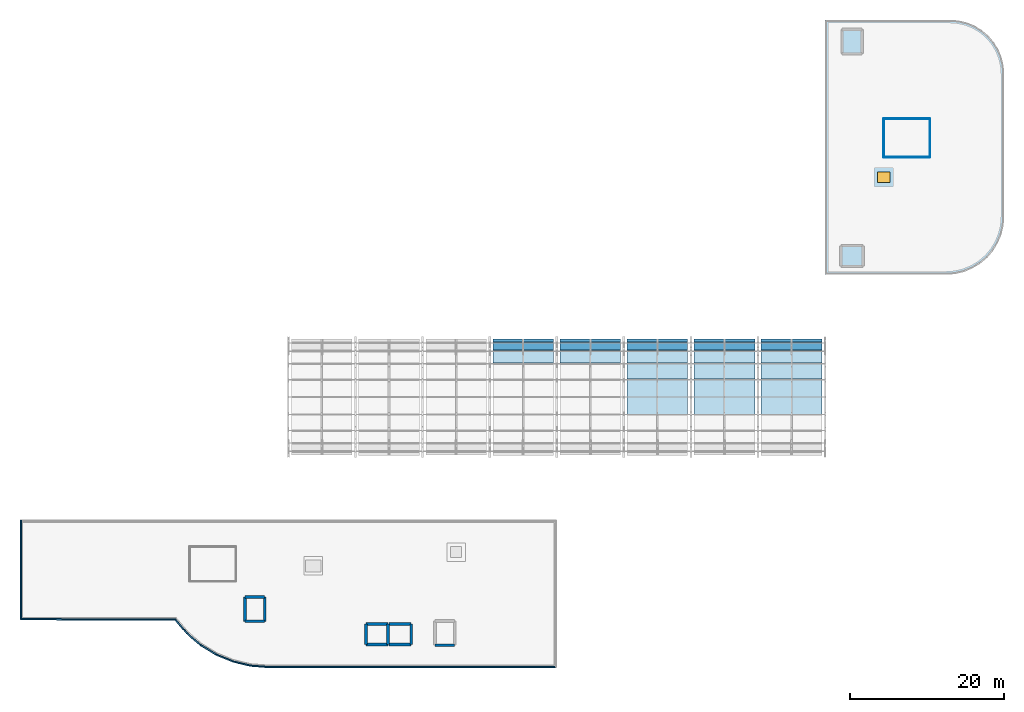
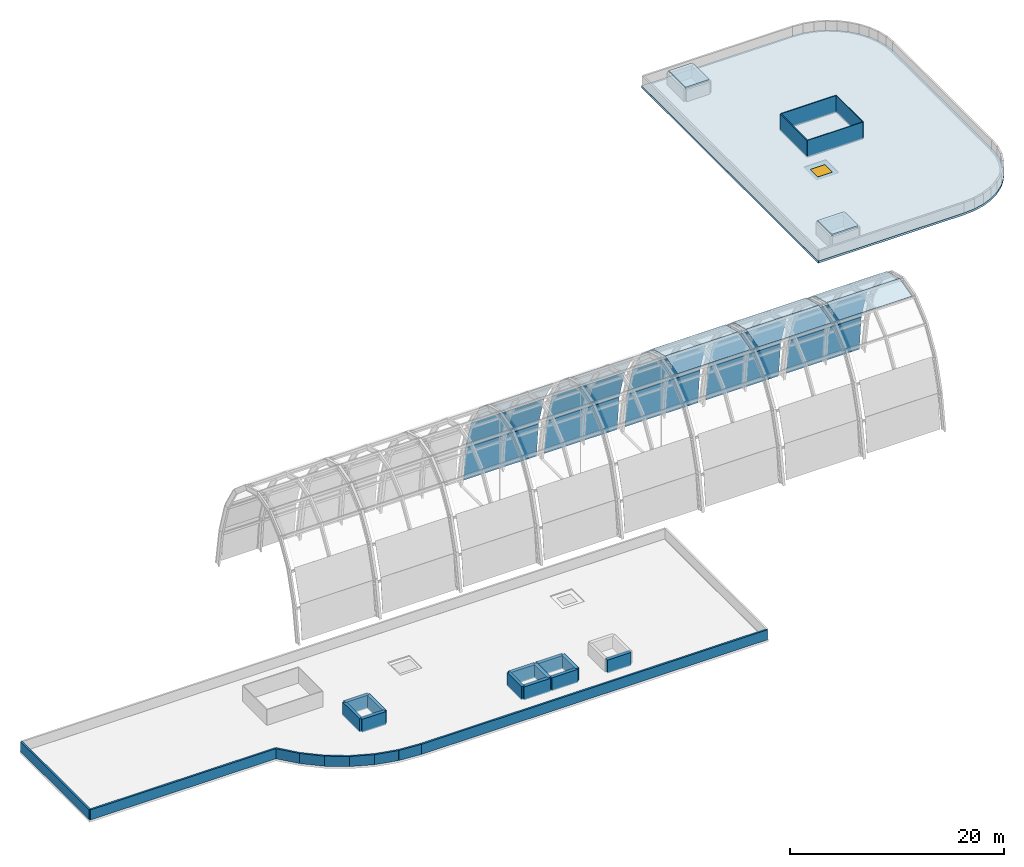
"""IFC4 building model written with IfcOpenShell, lengths in metres."""

import ifcopenshell
import ifcopenshell.guid

model = None  # the IFC model being written
_history = None  # IfcOwnerHistory: only IFC2X3 demands one
_inside = {}  # id of a spatial element -> (the spatial element, [elements in it])
_under = {}  # id of a project, library or spatial element -> (it, [spatial elements below it])
_declared = {}  # id of a project -> (the project, [libraries it declares])
_typed = {}  # id of a type object -> (the type object, [elements of that type])
_made_of = {}  # id of a material, layer set ... -> (it, [elements and type objects made of it])


def new_model(schema):
    """Start an empty IFC model of exactly this schema.

    Asked for "IFC4X3", IfcOpenShell would pick the latest addendum, in which some entities
    have other attributes; the version numbers below select the first issue.
    IFC2X3 requires an IfcOwnerHistory on every rooted entity: one is made here for all.
    """
    global model, _history
    if schema == "IFC4X3":
        model = ifcopenshell.file(schema_version=(4, 3, 0, 0))
    else:
        model = ifcopenshell.file(schema=schema)
    _inside.clear()
    _under.clear()
    _declared.clear()
    _typed.clear()
    _made_of.clear()
    _history = None
    if model.schema == "IFC2X3":
        org = make("IfcOrganization", Name="unknown")
        user = make(
            "IfcPersonAndOrganization",
            ThePerson=make("IfcPerson", FamilyName="unknown"),
            TheOrganization=org,
        )
        app = make(
            "IfcApplication",
            ApplicationDeveloper=org,
            Version="unknown",
            ApplicationFullName="unknown",
            ApplicationIdentifier="unknown",
        )
        _history = make(
            "IfcOwnerHistory",
            OwningUser=user,
            OwningApplication=app,
            ChangeAction="ADDED",
            CreationDate=0,
        )
    return model


def make(cls, **values):
    """One entity of the class cls with the attributes given. An attribute that is None is left unset."""
    return model.create_entity(
        cls, **{name: value for name, value in values.items() if value is not None}
    )


def rooted(cls, **values):
    """An entity with a GlobalId (a new one), such as an element, a storey or a relation."""
    return make(cls, GlobalId=ifcopenshell.guid.new(), OwnerHistory=_history, **values)


def si_unit(unit_type, name, prefix=None):
    """IfcSIUnit, for example si_unit("LENGTHUNIT", "METRE", prefix="MILLI")."""
    return make("IfcSIUnit", UnitType=unit_type, Prefix=prefix, Name=name)


def derived_unit(unit_type, elements):
    """IfcDerivedUnit: a product of units, each with its exponent."""
    return make(
        "IfcDerivedUnit",
        Elements=[
            make("IfcDerivedUnitElement", Unit=unit, Exponent=power)
            for unit, power in elements
        ],
        UnitType=unit_type,
    )


def assignment(units):
    """IfcUnitAssignment: the units of a project."""
    return None if units is None else make("IfcUnitAssignment", Units=units)


def point(xyz):
    """IfcCartesianPoint."""
    return None if xyz is None else make("IfcCartesianPoint", Coordinates=xyz)


def direction(xyz):
    """IfcDirection."""
    return None if xyz is None else make("IfcDirection", DirectionRatios=xyz)


def frame(location, z_axis=None, x_axis=None):
    """IfcAxis2Placement3D, a coordinate frame: its origin and axes. An axis left out is left unset."""
    return make(
        "IfcAxis2Placement3D",
        Location=point(location),
        Axis=direction(z_axis),
        RefDirection=direction(x_axis),
    )


def frame_2d(location, x_axis=None):
    """IfcAxis2Placement2D, a coordinate frame in the plane: its origin and x axis."""
    return make(
        "IfcAxis2Placement2D", Location=point(location), RefDirection=direction(x_axis)
    )


def origin():
    """The frame at (0, 0, 0) with its axes left unset."""
    return frame((0.0, 0.0, 0.0))


def origin_2d():
    """The frame at (0, 0) in the plane with its x axis left unset."""
    return frame_2d((0.0, 0.0))


def place(relative_to, where):
    """IfcLocalPlacement: puts the frame where relative to a parent placement (None: the world)."""
    return make(
        "IfcLocalPlacement", PlacementRelTo=relative_to, RelativePlacement=where
    )


def context(
    kind, dimensions, precision=None, world=None, true_north=None, identifier=None
):
    """IfcGeometricRepresentationContext, for example the 3D "Model" context."""
    return make(
        "IfcGeometricRepresentationContext",
        ContextIdentifier=identifier,
        ContextType=kind,
        CoordinateSpaceDimension=dimensions,
        Precision=precision,
        WorldCoordinateSystem=world,
        TrueNorth=true_north,
    )


def subcontext(parent, identifier, kind, view, scale=None):
    """IfcGeometricRepresentationSubContext, for example "Body" below "Model"."""
    return make(
        "IfcGeometricRepresentationSubContext",
        ContextIdentifier=identifier,
        ContextType=kind,
        ParentContext=parent,
        TargetScale=scale,
        TargetView=view,
    )


def project(units=None, contexts=None):
    """IfcProject with its units and contexts."""
    return rooted(
        "IfcProject",
        Name="project",
        RepresentationContexts=contexts,
        UnitsInContext=assignment(units),
    )


def spatial(cls, under=None, at=None, **own):
    """A site, building, storey or space (cls), placed at a placement, below another one or the project."""
    s = rooted(cls, ObjectPlacement=at, **own)
    if under is not None:
        _under.setdefault(under.id(), (under, []))[1].append(s)
    return s


def polyline(points):
    """IfcPolyline through the points."""
    return make("IfcPolyline", Points=[point(p) for p in points])


def profile(cls, at=None, kind="AREA", **sizes):
    """A parametric profile (cls). Its sizes go by their IFC names, for example OverallWidth=200.0."""
    return make(cls, ProfileType=kind, Position=at, **sizes)


def rectangle(**sizes):
    """IfcRectangleProfileDef."""
    return profile("IfcRectangleProfileDef", **sizes)


def outline(outer, holes=None, kind="AREA"):
    """IfcArbitraryClosedProfileDef: a profile drawn as a closed curve; with holes, ...WithVoids."""
    if holes is None:
        return make("IfcArbitraryClosedProfileDef", ProfileType=kind, OuterCurve=outer)
    return make(
        "IfcArbitraryProfileDefWithVoids",
        ProfileType=kind,
        OuterCurve=outer,
        InnerCurves=holes,
    )


def extrude(swept, where, along, depth):
    """IfcExtrudedAreaSolid: the profile swept, set in the frame where, extruded along a direction by depth."""
    return make(
        "IfcExtrudedAreaSolid",
        SweptArea=swept,
        Position=where,
        ExtrudedDirection=direction(along),
        Depth=depth,
    )


def shape(context_of_items, identifier, shape_type, items):
    """IfcShapeRepresentation: the items that make up one representation, for example the "Body"."""
    return make(
        "IfcShapeRepresentation",
        ContextOfItems=context_of_items,
        RepresentationIdentifier=identifier,
        RepresentationType=shape_type,
        Items=items,
    )


def material(Name=None, Category=None):
    """IfcMaterial."""
    return make("IfcMaterial", Name=Name, Category=Category)


def layer(
    of_material, thickness, ventilated=None, Name=None, Category=None, Priority=None
):
    """IfcMaterialLayer: one layer of a wall or slab, of a material (None: an air gap)."""
    return make(
        "IfcMaterialLayer",
        Material=of_material,
        LayerThickness=thickness,
        IsVentilated=ventilated,
        Name=Name,
        Category=Category,
        Priority=Priority,
    )


def layer_set(layers, Name=None):
    """IfcMaterialLayerSet."""
    return make("IfcMaterialLayerSet", MaterialLayers=layers, LayerSetName=Name)


def made_of(thing, what):
    """Note that an element or type object is made of a material, layer set ...; save() writes the relation."""
    if what is not None:
        _made_of.setdefault(what.id(), (what, []))[1].append(thing)
    return thing


def type_object(cls, material=None, **own):
    """A type object (cls), such as IfcWallType, which elements share."""
    return made_of(rooted(cls, **own), material)


def element(
    cls,
    number,
    at=None,
    inside=None,
    cuts=None,
    type_object=None,
    material=None,
    context=None,
    identifier="Body",
    shape_type=None,
    held_by="IfcProductDefinitionShape",
    body=None,
    shapes=None,
    **own,
):
    """One element of the class cls, such as IfcWall. Its Tag is "e" and its number.

    at: its placement. inside: the storey or other place that contains it. cuts: it is an
    opening in that element (IfcRelVoidsElement). A single representation is given by context,
    identifier, shape_type and body (its items); several are given by shapes. held_by: the class
    of the entity that holds the representations. save() writes the other relations.
    """
    e = rooted(cls, Tag="e%d" % number, ObjectPlacement=at, **own)
    if body is not None:
        shapes = [shape(context, identifier, shape_type, body)]
    if shapes is not None:
        e.Representation = make(held_by, Representations=shapes)
    if inside is not None:
        _inside.setdefault(inside.id(), (inside, []))[1].append(e)
    if cuts is not None:
        rooted(
            "IfcRelVoidsElement", RelatingBuildingElement=cuts, RelatedOpeningElement=e
        )
    if type_object is not None:
        _typed.setdefault(type_object.id(), (type_object, []))[1].append(e)
    return made_of(e, material)


def fill(opening, filler):
    """IfcRelFillsElement: the door or window that sits in an opening."""
    return rooted(
        "IfcRelFillsElement",
        RelatingOpeningElement=opening,
        RelatedBuildingElement=filler,
    )


def aggregate(whole, parts):
    """IfcRelAggregates: a whole, such as a stair, and the parts it consists of."""
    return rooted("IfcRelAggregates", RelatingObject=whole, RelatedObjects=parts)


def save(model, path):
    """Write the relations noted so far, then the file.

    IfcRelAggregates (storeys below a building ...), IfcRelContainedInSpatialStructure (elements
    in a storey), IfcRelDefinesByType, IfcRelAssociatesMaterial and IfcRelDeclares: one each for
    every whole, place, type object, material and project.
    """
    for whole, parts in _under.values():
        aggregate(whole, parts)
    for where, things in _inside.values():
        rooted(
            "IfcRelContainedInSpatialStructure",
            RelatedElements=things,
            RelatingStructure=where,
        )
    for kind, things in _typed.values():
        rooted("IfcRelDefinesByType", RelatedObjects=things, RelatingType=kind)
    for what, things in _made_of.values():
        rooted("IfcRelAssociatesMaterial", RelatedObjects=things, RelatingMaterial=what)
    for by, libraries in _declared.values():
        rooted("IfcRelDeclares", RelatingContext=by, RelatedDefinitions=libraries)
    model.write(path)


model = new_model("IFC4")

# Units and contexts
model_context = context("Model", 3, precision=1e-05, world=origin(), true_north=direction((0.0, 1.0)))
body_context = subcontext(model_context, "Body", "Model", "MODEL_VIEW")
ifc_project = project(units=[si_unit("LENGTHUNIT", "METRE"), si_unit("AREAUNIT", "SQUARE_METRE"), si_unit("VOLUMEUNIT", "CUBIC_METRE"), si_unit("PLANEANGLEUNIT", "RADIAN"), si_unit("MASSUNIT", "GRAM", prefix="KILO"), derived_unit("THERMALTRANSMITTANCEUNIT", [(si_unit("MASSUNIT", "GRAM", prefix="KILO"), 1), (si_unit("TIMEUNIT", "SECOND"), -3), (si_unit("THERMODYNAMICTEMPERATUREUNIT", "KELVIN"), -1)])], contexts=[model_context])

# Site, building, storey
site_placement = place(None, origin())
site = spatial("IfcSite", under=ifc_project, at=site_placement, CompositionType="ELEMENT")
building_placement = place(site_placement, origin())
building = spatial("IfcBuilding", under=site, at=building_placement, Name="Qinzheling Arcade Emporium", CompositionType="ELEMENT")
storey_1_placement = place(building_placement, frame((0.0, 0.0, 41.10009765625)))
storey_1 = spatial("IfcBuildingStorey", under=building, at=storey_1_placement, Name="RF", CompositionType="ELEMENT", Elevation=41.10009765625)

# Plates
ifc_material_1 = material(Name="Mineral-wool-lined perforated aluminium acoustic panel", Category="aluminium")
ifc_layer_1 = layer(ifc_material_1, 0.06494140625, Name="Mineral-wool-lined perforated aluminium acoustic panel", Category="aluminium")
ifc_layer_set_1 = layer_set([ifc_layer_1], Name="Mineral-wool-lined perforated aluminium acoustic panel")
plate_type_1 = type_object("IfcPlateType", Name="Acoustic Roof Plant Screen Panel 65mm", PredefinedType="USERDEFINED", material=ifc_layer_set_1)
plate_1_placement = place(storey_1_placement, frame((118.0, 91.5, 0.0), z_axis=(0.0, 0.0, 1.0), x_axis=(0.0, 1.0, 0.0)))
element("IfcPlate", 1, at=plate_1_placement, inside=storey_1, type_object=plate_type_1, Name="Acoustic Plant Screen PLT-APS-RF-16", ObjectType="PLANT_SCREEN", PredefinedType="USERDEFINED", context=body_context, shape_type="SweptSolid", body=[
    extrude(rectangle(XDim=5.0, YDim=0.06494140625, at=origin_2d()), origin(), (0.0, 0.0, 1.0), 1.89990234375),
])
ifc_layer_2 = layer(ifc_material_1, 0.074951171875, Name="Mineral-wool-lined perforated aluminium acoustic panel", Category="aluminium")
ifc_layer_set_2 = layer_set([ifc_layer_2], Name="Mineral-wool-lined perforated aluminium acoustic panel")
plate_type_2 = type_object("IfcPlateType", Name="Acoustic Roof Plant Screen Panel 75mm", PredefinedType="USERDEFINED", material=ifc_layer_set_2)
plate_2_placement = place(storey_1_placement, frame((115.0, 89.0, 0.0), z_axis=(0.0, 0.0, 1.0), x_axis=(1.0, 0.0, 0.0)))
element("IfcPlate", 2, at=plate_2_placement, inside=storey_1, type_object=plate_type_2, Name="Acoustic Plant Screen PLT-APS-RF-13", ObjectType="PLANT_SCREEN", PredefinedType="USERDEFINED", context=body_context, shape_type="SweptSolid", body=[
    extrude(rectangle(XDim=6.0, YDim=0.074951171875, at=origin_2d()), origin(), (0.0, 0.0, 1.0), 1.89990234375),
])
ifc_layer_3 = layer(ifc_material_1, 0.0849609375, Name="Mineral-wool-lined perforated aluminium acoustic panel", Category="aluminium")
ifc_layer_set_3 = layer_set([ifc_layer_3], Name="Mineral-wool-lined perforated aluminium acoustic panel")
plate_type_3 = type_object("IfcPlateType", Name="Acoustic Roof Plant Screen Panel 85mm", PredefinedType="USERDEFINED", material=ifc_layer_set_3)
plate_3_placement = place(storey_1_placement, frame((115.0, 94.0, 0.0), z_axis=(0.0, 0.0, 1.0), x_axis=(1.0, 0.0, 0.0)))
element("IfcPlate", 3, at=plate_3_placement, inside=storey_1, type_object=plate_type_3, Name="Acoustic Plant Screen PLT-APS-RF-14", ObjectType="PLANT_SCREEN", PredefinedType="USERDEFINED", context=body_context, shape_type="SweptSolid", body=[
    extrude(rectangle(XDim=6.0, YDim=0.0849609375, at=origin_2d()), origin(), (0.0, 0.0, 1.0), 1.89990234375),
])
ifc_layer_4 = layer(ifc_material_1, 0.094970703125, Name="Mineral-wool-lined perforated aluminium acoustic panel", Category="aluminium")
ifc_layer_set_4 = layer_set([ifc_layer_4], Name="Mineral-wool-lined perforated aluminium acoustic panel")
plate_type_4 = type_object("IfcPlateType", Name="Acoustic Roof Plant Screen Panel 95mm", PredefinedType="USERDEFINED", material=ifc_layer_set_4)
plate_4_placement = place(storey_1_placement, frame((112.0, 91.5, 0.0), z_axis=(0.0, 0.0, 1.0), x_axis=(0.0, 1.0, 0.0)))
element("IfcPlate", 4, at=plate_4_placement, inside=storey_1, type_object=plate_type_4, Name="Acoustic Plant Screen PLT-APS-RF-15", ObjectType="PLANT_SCREEN", PredefinedType="USERDEFINED", context=body_context, shape_type="SweptSolid", body=[
    extrude(rectangle(XDim=5.0, YDim=0.094970703125, at=origin_2d()), origin(), (0.0, 0.0, 1.0), 1.89990234375),
])
ifc_material_2 = material(Name="Ceramic-fritted laminated skylight glass", Category="glass")
ifc_layer_5 = layer(ifc_material_2, 0.032958984375, Name="Ceramic-fritted laminated skylight glass", Category="glass")
ifc_layer_set_5 = layer_set([ifc_layer_5], Name="Ceramic-fritted laminated skylight glass")
plate_type_5 = type_object("IfcPlateType", Name="Barrel Vault Skylight Roof Panel 33mm", PredefinedType="USERDEFINED", material=ifc_layer_set_5)
plate_5_placement = place(storey_1_placement, frame((61.320068359375, 65.06591796875, -0.903076171875), z_axis=(0.0, 0.995583686489, 0.093878236017), x_axis=(1.0, 0.0, 0.0)))
element("IfcPlate", 5, at=plate_5_placement, inside=storey_1, type_object=plate_type_5, Name="Barrel Vault Skylight Roof Panel SKP-ATRIUM-B04-S10", ObjectType="SKYLIGHT_PANEL", PredefinedType="USERDEFINED", context=body_context, shape_type="SweptSolid", body=[
    extrude(outline(polyline([(0.0, 0.0), (7.85986328125, 0.0), (7.85986328125, 3.911316568960836), (0.0, 3.911316568960836), (0.0, 0.0)])), origin(), (0.0, 0.0, -1.0), 0.032958984375),
])
plate_6_placement = place(storey_1_placement, frame((70.02001953125, 62.3359375, 5.410888671875), z_axis=(0.0, 0.859214140799, 0.51161612587), x_axis=(1.0, 0.0, 0.0)))
element("IfcPlate", 6, at=plate_6_placement, inside=storey_1, type_object=plate_type_5, Name="Barrel Vault Skylight Roof Panel SKP-ATRIUM-B05-S08", ObjectType="SKYLIGHT_PANEL", PredefinedType="USERDEFINED", context=body_context, shape_type="SweptSolid", body=[
    extrude(outline(polyline([(0.0, 0.0), (7.85986328125, 0.0), (7.85986328125, 3.2449255722280164), (0.0, 3.2449255722280164), (0.0, 0.0)])), origin(), (0.0, 0.0, -1.0), 0.032958984375),
])
plate_7_placement = place(storey_1_placement, frame((78.719970703125, 57.907958984375, 7.831787109375), z_axis=(0.0, 0.257187524767, 0.966361514706), x_axis=(1.0, 0.0, 0.0)))
element("IfcPlate", 7, at=plate_7_placement, inside=storey_1, type_object=plate_type_5, Name="Barrel Vault Skylight Roof Panel SKP-ATRIUM-B06-S06", ObjectType="SKYLIGHT_PANEL", PredefinedType="USERDEFINED", context=body_context, shape_type="SweptSolid", body=[
    extrude(outline(polyline([(0.0, 0.0), (7.860107421875, 0.0), (7.860107421875, 2.3988074846719925), (0.0, 2.3988074846719925), (0.0, 0.0)])), origin(), (0.0, 0.0, -1.0), 0.032958984375),
])
plate_8_placement = place(storey_1_placement, frame((78.719970703125, 65.06591796875, -0.903076171875), z_axis=(0.0, 0.995583686489, 0.093878236017), x_axis=(1.0, 0.0, 0.0)))
element("IfcPlate", 8, at=plate_8_placement, inside=storey_1, type_object=plate_type_5, Name="Barrel Vault Skylight Roof Panel SKP-ATRIUM-B06-S10", ObjectType="SKYLIGHT_PANEL", PredefinedType="USERDEFINED", context=body_context, shape_type="SweptSolid", body=[
    extrude(outline(polyline([(0.0, 0.0), (7.860107421875, 0.0), (7.860107421875, 3.911316568960836), (0.0, 3.911316568960836), (0.0, 0.0)])), origin(), (0.0, 0.0, -1.0), 0.032958984375),
])
plate_9_placement = place(storey_1_placement, frame((87.419921875, 62.3359375, 5.410888671875), z_axis=(0.0, 0.859214140799, 0.51161612587), x_axis=(1.0, 0.0, 0.0)))
element("IfcPlate", 9, at=plate_9_placement, inside=storey_1, type_object=plate_type_5, Name="Barrel Vault Skylight Roof Panel SKP-ATRIUM-B07-S08", ObjectType="SKYLIGHT_PANEL", PredefinedType="USERDEFINED", context=body_context, shape_type="SweptSolid", body=[
    extrude(outline(polyline([(0.0, 0.0), (7.860107421875, 0.0), (7.860107421875, 3.2449255722280164), (0.0, 3.2449255722280164), (0.0, 0.0)])), origin(), (0.0, 0.0, -1.0), 0.032958984375),
])
plate_10_placement = place(storey_1_placement, frame((96.1201171875, 57.907958984375, 7.831787109375), z_axis=(0.0, 0.257187524767, 0.966361514706), x_axis=(1.0, 0.0, 0.0)))
element("IfcPlate", 10, at=plate_10_placement, inside=storey_1, type_object=plate_type_5, Name="Barrel Vault Skylight Roof Panel SKP-ATRIUM-B08-S06", ObjectType="SKYLIGHT_PANEL", PredefinedType="USERDEFINED", context=body_context, shape_type="SweptSolid", body=[
    extrude(outline(polyline([(0.0, 0.0), (7.85986328125, 0.0), (7.85986328125, 2.3988074846719925), (0.0, 2.3988074846719925), (0.0, 0.0)])), origin(), (0.0, 0.0, -1.0), 0.032958984375),
])
plate_11_placement = place(storey_1_placement, frame((96.1201171875, 65.06591796875, -0.903076171875), z_axis=(0.0, 0.995583686489, 0.093878236017), x_axis=(1.0, 0.0, 0.0)))
element("IfcPlate", 11, at=plate_11_placement, inside=storey_1, type_object=plate_type_5, Name="Barrel Vault Skylight Roof Panel SKP-ATRIUM-B08-S10", ObjectType="SKYLIGHT_PANEL", PredefinedType="USERDEFINED", context=body_context, shape_type="SweptSolid", body=[
    extrude(outline(polyline([(0.0, 0.0), (7.85986328125, 0.0), (7.85986328125, 3.911316568960836), (0.0, 3.911316568960836), (0.0, 0.0)])), origin(), (0.0, 0.0, -1.0), 0.032958984375),
])
ifc_layer_6 = layer(ifc_material_2, 0.035888671875, Name="Ceramic-fritted laminated skylight glass", Category="glass")
ifc_layer_set_6 = layer_set([ifc_layer_6], Name="Ceramic-fritted laminated skylight glass")
plate_type_6 = type_object("IfcPlateType", Name="Barrel Vault Skylight Roof Panel 36mm", PredefinedType="USERDEFINED", material=ifc_layer_set_6)
plate_12_placement = place(storey_1_placement, frame((70.02001953125, 64.001953125, 2.615966796875), z_axis=(0.0, 0.956970675176, 0.290184642691), x_axis=(1.0, 0.0, 0.0)))
element("IfcPlate", 12, at=plate_12_placement, inside=storey_1, type_object=plate_type_6, Name="Barrel Vault Skylight Roof Panel SKP-ATRIUM-B05-S09", ObjectType="SKYLIGHT_PANEL", PredefinedType="USERDEFINED", context=body_context, shape_type="SweptSolid", body=[
    extrude(outline(polyline([(0.0, 0.0), (7.85986328125, 0.0), (7.85986328125, 3.6698751400930294), (0.0, 3.6698751400930294), (0.0, 0.0)])), origin(), (0.0, 0.0, -1.0), 0.035888671875),
])
plate_13_placement = place(storey_1_placement, frame((78.719970703125, 60.240966796875, 7.2099609375), z_axis=(0.0, 0.650279671288, 0.759694905281), x_axis=(1.0, 0.0, 0.0)))
element("IfcPlate", 13, at=plate_13_placement, inside=storey_1, type_object=plate_type_6, Name="Barrel Vault Skylight Roof Panel SKP-ATRIUM-B06-S07", ObjectType="SKYLIGHT_PANEL", PredefinedType="USERDEFINED", context=body_context, shape_type="SweptSolid", body=[
    extrude(outline(polyline([(0.0, 0.0), (7.860107421875, 0.0), (7.860107421875, 2.7512200965105484), (0.0, 2.7512200965105484), (0.0, 0.0)])), origin(), (0.0, 0.0, -1.0), 0.035888671875),
])
plate_14_placement = place(storey_1_placement, frame((87.419921875, 55.572998046875, 7.218017578125), z_axis=(0.0, -0.257187524767, 0.966361514706), x_axis=(1.0, 0.0, 0.0)))
element("IfcPlate", 14, at=plate_14_placement, inside=storey_1, type_object=plate_type_6, Name="Barrel Vault Skylight Roof Panel SKP-ATRIUM-B07-S05", ObjectType="SKYLIGHT_PANEL", PredefinedType="USERDEFINED", context=body_context, shape_type="SweptSolid", body=[
    extrude(outline(polyline([(0.0, 0.0), (7.860107421875, 0.0), (7.860107421875, 2.3988074846719925), (0.0, 2.3988074846719925), (0.0, 0.0)])), origin(), (0.0, 0.0, -1.0), 0.035888671875),
])
plate_15_placement = place(storey_1_placement, frame((87.419921875, 64.001953125, 2.615966796875), z_axis=(0.0, 0.956970675176, 0.290184642691), x_axis=(1.0, 0.0, 0.0)))
element("IfcPlate", 15, at=plate_15_placement, inside=storey_1, type_object=plate_type_6, Name="Barrel Vault Skylight Roof Panel SKP-ATRIUM-B07-S09", ObjectType="SKYLIGHT_PANEL", PredefinedType="USERDEFINED", context=body_context, shape_type="SweptSolid", body=[
    extrude(outline(polyline([(0.0, 0.0), (7.860107421875, 0.0), (7.860107421875, 3.6698751400930294), (0.0, 3.6698751400930294), (0.0, 0.0)])), origin(), (0.0, 0.0, -1.0), 0.035888671875),
])
plate_16_placement = place(storey_1_placement, frame((96.1201171875, 60.240966796875, 7.2099609375), z_axis=(0.0, 0.650279671288, 0.759694905281), x_axis=(1.0, 0.0, 0.0)))
element("IfcPlate", 16, at=plate_16_placement, inside=storey_1, type_object=plate_type_6, Name="Barrel Vault Skylight Roof Panel SKP-ATRIUM-B08-S07", ObjectType="SKYLIGHT_PANEL", PredefinedType="USERDEFINED", context=body_context, shape_type="SweptSolid", body=[
    extrude(outline(polyline([(0.0, 0.0), (7.85986328125, 0.0), (7.85986328125, 2.751220096510549), (0.0, 2.751220096510549), (0.0, 0.0)])), origin(), (0.0, 0.0, -1.0), 0.035888671875),
])
ifc_layer_7 = layer(ifc_material_2, 0.0400390625, Name="Ceramic-fritted laminated skylight glass", Category="glass")
ifc_layer_set_7 = layer_set([ifc_layer_7], Name="Ceramic-fritted laminated skylight glass")
plate_type_7 = type_object("IfcPlateType", Name="Barrel Vault Skylight Roof Panel 40mm", PredefinedType="USERDEFINED", material=ifc_layer_set_7)
plate_17_placement = place(storey_1_placement, frame((61.320068359375, 62.342041015625, 5.413818359375), z_axis=(0.0, 0.859227521908, 0.511593652811), x_axis=(1.0, 0.0, 0.0)))
element("IfcPlate", 17, at=plate_17_placement, inside=storey_1, type_object=plate_type_7, Name="Barrel Vault Skylight Roof Panel SKP-ATRIUM-B04-S08", ObjectType="SKYLIGHT_PANEL", PredefinedType="USERDEFINED", context=body_context, shape_type="SweptSolid", body=[
    extrude(outline(polyline([(0.0, 0.0), (7.85986328125, 0.0), (7.85986328125, 3.2445908979797426), (0.0, 3.2445908979797426), (0.0, 0.0)])), origin(), (0.0, 0.0, -1.0), 0.0400390625),
])
plate_18_placement = place(storey_1_placement, frame((70.02001953125, 65.072998046875, -0.902099609375), z_axis=(0.0, 0.995589518511, 0.093816366541), x_axis=(1.0, 0.0, 0.0)))
element("IfcPlate", 18, at=plate_18_placement, inside=storey_1, type_object=plate_type_7, Name="Barrel Vault Skylight Roof Panel SKP-ATRIUM-B05-S10", ObjectType="SKYLIGHT_PANEL", PredefinedType="USERDEFINED", context=body_context, shape_type="SweptSolid", body=[
    extrude(outline(polyline([(0.0, 0.0), (7.85986328125, 0.0), (7.85986328125, 3.9112936570220245), (0.0, 3.9112936570220245), (0.0, 0.0)])), origin(), (0.0, 0.0, -1.0), 0.0400390625),
])
plate_19_placement = place(storey_1_placement, frame((78.719970703125, 62.342041015625, 5.413818359375), z_axis=(0.0, 0.859227521908, 0.511593652811), x_axis=(1.0, 0.0, 0.0)))
element("IfcPlate", 19, at=plate_19_placement, inside=storey_1, type_object=plate_type_7, Name="Barrel Vault Skylight Roof Panel SKP-ATRIUM-B06-S08", ObjectType="SKYLIGHT_PANEL", PredefinedType="USERDEFINED", context=body_context, shape_type="SweptSolid", body=[
    extrude(outline(polyline([(0.0, 0.0), (7.860107421875, 0.0), (7.860107421875, 3.2445908979797426), (0.0, 3.2445908979797426), (0.0, 0.0)])), origin(), (0.0, 0.0, -1.0), 0.0400390625),
])
plate_20_placement = place(storey_1_placement, frame((87.419921875, 57.909912109375, 7.8388671875), z_axis=(0.0, 0.257187524767, 0.966361514706), x_axis=(1.0, 0.0, 0.0)))
element("IfcPlate", 20, at=plate_20_placement, inside=storey_1, type_object=plate_type_7, Name="Barrel Vault Skylight Roof Panel SKP-ATRIUM-B07-S06", ObjectType="SKYLIGHT_PANEL", PredefinedType="USERDEFINED", context=body_context, shape_type="SweptSolid", body=[
    extrude(outline(polyline([(0.0, 0.0), (7.860107421875, 0.0), (7.860107421875, 2.3988074846719925), (0.0, 2.3988074846719925), (0.0, 0.0)])), origin(), (0.0, 0.0, -1.0), 0.0400390625),
])
plate_21_placement = place(storey_1_placement, frame((87.419921875, 65.072998046875, -0.902099609375), z_axis=(0.0, 0.995589518511, 0.093816366541), x_axis=(1.0, 0.0, 0.0)))
element("IfcPlate", 21, at=plate_21_placement, inside=storey_1, type_object=plate_type_7, Name="Barrel Vault Skylight Roof Panel SKP-ATRIUM-B07-S10", ObjectType="SKYLIGHT_PANEL", PredefinedType="USERDEFINED", context=body_context, shape_type="SweptSolid", body=[
    extrude(outline(polyline([(0.0, 0.0), (7.860107421875, 0.0), (7.860107421875, 3.911293657022025), (0.0, 3.911293657022025), (0.0, 0.0)])), origin(), (0.0, 0.0, -1.0), 0.0400390625),
])
plate_22_placement = place(storey_1_placement, frame((96.1201171875, 62.342041015625, 5.413818359375), z_axis=(0.0, 0.859227521908, 0.511593652811), x_axis=(1.0, 0.0, 0.0)))
element("IfcPlate", 22, at=plate_22_placement, inside=storey_1, type_object=plate_type_7, Name="Barrel Vault Skylight Roof Panel SKP-ATRIUM-B08-S08", ObjectType="SKYLIGHT_PANEL", PredefinedType="USERDEFINED", context=body_context, shape_type="SweptSolid", body=[
    extrude(outline(polyline([(0.0, 0.0), (7.85986328125, 0.0), (7.85986328125, 3.2445908979797426), (0.0, 3.2445908979797426), (0.0, 0.0)])), origin(), (0.0, 0.0, -1.0), 0.0400390625),
])
ifc_layer_8 = layer(ifc_material_2, 0.0439453125, Name="Ceramic-fritted laminated skylight glass", Category="glass")
ifc_layer_set_8 = layer_set([ifc_layer_8], Name="Ceramic-fritted laminated skylight glass")
plate_type_8 = type_object("IfcPlateType", Name="Barrel Vault Skylight Roof Panel 44mm", PredefinedType="USERDEFINED", material=ifc_layer_set_8)
plate_23_placement = place(storey_1_placement, frame((61.320068359375, 64.010009765625, 2.618896484375), z_axis=(0.0, 0.956970675176, 0.290184642691), x_axis=(1.0, 0.0, 0.0)))
element("IfcPlate", 23, at=plate_23_placement, inside=storey_1, type_object=plate_type_8, Name="Barrel Vault Skylight Roof Panel SKP-ATRIUM-B04-S09", ObjectType="SKYLIGHT_PANEL", PredefinedType="USERDEFINED", context=body_context, shape_type="SweptSolid", body=[
    extrude(outline(polyline([(0.0, 0.0), (7.85986328125, 0.0), (7.85986328125, 3.6698751400930294), (0.0, 3.6698751400930294), (0.0, 0.0)])), origin(), (0.0, 0.0, -1.0), 0.0439453125),
])
plate_24_placement = place(storey_1_placement, frame((78.719970703125, 55.571044921875, 7.225830078125), z_axis=(0.0, -0.257307870254, 0.966329477924), x_axis=(1.0, 0.0, 0.0)))
element("IfcPlate", 24, at=plate_24_placement, inside=storey_1, type_object=plate_type_8, Name="Barrel Vault Skylight Roof Panel SKP-ATRIUM-B06-S05", ObjectType="SKYLIGHT_PANEL", PredefinedType="USERDEFINED", context=body_context, shape_type="SweptSolid", body=[
    extrude(outline(polyline([(0.0, 0.0), (7.860107421875, 0.0), (7.860107421875, 2.398634365091535), (0.0, 2.398634365091535), (0.0, 0.0)])), origin(), (0.0, 0.0, -1.0), 0.0439453125),
])
plate_25_placement = place(storey_1_placement, frame((78.719970703125, 64.010009765625, 2.618896484375), z_axis=(0.0, 0.956970675176, 0.290184642691), x_axis=(1.0, 0.0, 0.0)))
element("IfcPlate", 25, at=plate_25_placement, inside=storey_1, type_object=plate_type_8, Name="Barrel Vault Skylight Roof Panel SKP-ATRIUM-B06-S09", ObjectType="SKYLIGHT_PANEL", PredefinedType="USERDEFINED", context=body_context, shape_type="SweptSolid", body=[
    extrude(outline(polyline([(0.0, 0.0), (7.860107421875, 0.0), (7.860107421875, 3.6698751400930294), (0.0, 3.6698751400930294), (0.0, 0.0)])), origin(), (0.0, 0.0, -1.0), 0.0439453125),
])
plate_26_placement = place(storey_1_placement, frame((87.419921875, 60.2470703125, 7.2158203125), z_axis=(0.0, 0.650272294151, 0.759701219862), x_axis=(1.0, 0.0, 0.0)))
element("IfcPlate", 26, at=plate_26_placement, inside=storey_1, type_object=plate_type_8, Name="Barrel Vault Skylight Roof Panel SKP-ATRIUM-B07-S07", ObjectType="SKYLIGHT_PANEL", PredefinedType="USERDEFINED", context=body_context, shape_type="SweptSolid", body=[
    extrude(outline(polyline([(0.0, 0.0), (7.860107421875, 0.0), (7.860107421875, 2.7508758645658897), (0.0, 2.7508758645658897), (0.0, 0.0)])), origin(), (0.0, 0.0, -1.0), 0.0439453125),
])
plate_27_placement = place(storey_1_placement, frame((96.1201171875, 55.571044921875, 7.225830078125), z_axis=(0.0, -0.257307870254, 0.966329477924), x_axis=(1.0, 0.0, 0.0)))
element("IfcPlate", 27, at=plate_27_placement, inside=storey_1, type_object=plate_type_8, Name="Barrel Vault Skylight Roof Panel SKP-ATRIUM-B08-S05", ObjectType="SKYLIGHT_PANEL", PredefinedType="USERDEFINED", context=body_context, shape_type="SweptSolid", body=[
    extrude(outline(polyline([(0.0, 0.0), (7.85986328125, 0.0), (7.85986328125, 2.3986343650915347), (0.0, 2.3986343650915347), (0.0, 0.0)])), origin(), (0.0, 0.0, -1.0), 0.0439453125),
])
plate_28_placement = place(storey_1_placement, frame((96.1201171875, 64.010009765625, 2.618896484375), z_axis=(0.0, 0.956970675176, 0.290184642691), x_axis=(1.0, 0.0, 0.0)))
element("IfcPlate", 28, at=plate_28_placement, inside=storey_1, type_object=plate_type_8, Name="Barrel Vault Skylight Roof Panel SKP-ATRIUM-B08-S09", ObjectType="SKYLIGHT_PANEL", PredefinedType="USERDEFINED", context=body_context, shape_type="SweptSolid", body=[
    extrude(outline(polyline([(0.0, 0.0), (7.85986328125, 0.0), (7.85986328125, 3.6698751400930294), (0.0, 3.6698751400930294), (0.0, 0.0)])), origin(), (0.0, 0.0, -1.0), 0.0439453125),
])

# Slab, opening
ifc_material_3 = material(Name="Concrete C40", Category="concrete")
ifc_layer_9 = layer(ifc_material_3, 0.239990234375, Name="Concrete C40", Category="concrete")
ifc_layer_set_9 = layer_set([ifc_layer_9], Name="Concrete C40")
slab_type_1 = type_object("IfcSlabType", Name="Insulated Flat Roof Slab 240 C40", PredefinedType="ROOF", material=ifc_layer_set_9)
slab_1_placement = place(storey_1_placement, frame((0.0, 0.0, -0.239990234375)))
slab_1 = element("IfcSlab", 29, at=slab_1_placement, inside=storey_1, type_object=slab_type_1, Name="Roof Slab SLB-RF-V6", PredefinedType="ROOF", context=body_context, shape_type="SweptSolid", body=[
    extrude(outline(polyline([(104.39990234375, 106.800048828125), (104.39990234375, 73.800048828125), (120.10009765625, 73.800048828125), (121.27294921875, 73.89208984375), (122.41796875, 74.1669921875), (123.5048828125, 74.616943359375), (124.508056640625, 75.23193359375), (125.403076171875, 75.9970703125), (126.16796875, 76.89208984375), (126.782958984375, 77.89501953125), (127.23291015625, 78.98193359375), (127.508056640625, 80.126953125), (127.60009765625, 81.300048828125), (127.60009765625, 99.800048828125), (127.513916015625, 100.89501953125), (127.257080078125, 101.962890625), (126.8369140625, 102.97802734375), (126.262939453125, 103.9140625), (125.550048828125, 104.75), (124.714111328125, 105.462890625), (123.778076171875, 106.037109375), (122.762939453125, 106.45703125), (121.695068359375, 106.714111328125), (120.60009765625, 106.800048828125), (104.39990234375, 106.800048828125)])), origin(), (0.0, 0.0, 1.0), 0.239990234375),
])
opening_placement = place(slab_1_placement, frame((112.0, 86.39990234375, -0.010009765625)))
opening = element("IfcOpeningElement", 30, at=opening_placement, cuts=slab_1, Name="Opening RH02", PredefinedType="OPENING", context=body_context, shape_type="SweptSolid", body=[
    extrude(rectangle(XDim=1.60009765625, YDim=1.39990234375, at=origin_2d()), origin(), (0.0, 0.0, 1.0), 0.260009765625),
])

# Storey
storey_2_placement = place(building_placement, frame((0.0, 0.0, 36.300048828125)))
storey_2 = spatial("IfcBuildingStorey", under=building, at=storey_2_placement, Name="L08", CompositionType="ELEMENT", Elevation=36.300048828125)

# Window
ifc_material_4 = material(Name="Insulated aluminium skylight hatch", Category="aluminium")
window_type = type_object("IfcWindowType", Name="Insulated Roof Smoke and Access Hatch 1600x1400", PartitioningType="SINGLE_PANEL", PredefinedType="SKYLIGHT", material=ifc_material_4)
window_placement = place(opening_placement, frame((0.0, 0.0, 0.199951171875)))
window = element("IfcWindow", 31, at=window_placement, inside=storey_2, type_object=window_type, Name="RH02 Roof Hatch RHT-L08-11", OverallHeight=1.39990234375, OverallWidth=1.60009765625, PartitioningType="SINGLE_PANEL", PredefinedType="SKYLIGHT", context=body_context, shape_type="SweptSolid", body=[
    extrude(rectangle(XDim=1.60009765625, YDim=1.39990234375, at=origin_2d()), origin(), (0.0, 0.0, 1.0), 0.050048828125),
])

fill(opening, window)

# Slabs
ifc_layer_10 = layer(ifc_material_3, 0.18994140625, Name="Concrete C40", Category="concrete")
ifc_layer_set_10 = layer_set([ifc_layer_10], Name="Concrete C40")
slab_type_2 = type_object("IfcSlabType", Name="Lift Overrun Roof Slab 190 C40", PredefinedType="ROOF", material=ifc_layer_set_10)
slab_2_placement = place(storey_1_placement, frame((0.0, 0.0, 1.5)))
element("IfcSlab", 32, at=slab_2_placement, inside=storey_1, type_object=slab_type_2, Name="Lift Overrun Roof SLB-OVR-LF03", PredefinedType="ROOF", context=body_context, shape_type="SweptSolid", body=[
    extrude(outline(polyline([(106.625, 102.425048828125), (109.175048828125, 102.425048828125), (109.175048828125, 105.574951171875), (106.625, 105.574951171875), (106.625, 102.425048828125)])), origin(), (0.0, 0.0, 1.0), 0.18994140625),
])
slab_3_placement = place(storey_1_placement, frame((0.0, 0.0, 1.5)))
element("IfcSlab", 33, at=slab_3_placement, inside=storey_1, type_object=slab_type_2, Name="Lift Overrun Roof SLB-OVR-LP06", PredefinedType="ROOF", context=body_context, shape_type="SweptSolid", body=[
    extrude(outline(polyline([(106.47509765625, 74.875), (109.324951171875, 74.875), (109.324951171875, 77.52490234375), (106.47509765625, 77.52490234375), (106.47509765625, 74.875)])), origin(), (0.0, 0.0, 1.0), 0.18994140625),
])

# Walls
ifc_material_5 = material(Name="Precast concrete C40", Category="concrete")
ifc_layer_11 = layer(ifc_material_5, 0.195068359375, Name="Precast concrete C40", Category="concrete")
ifc_layer_set_11 = layer_set([ifc_layer_11], Name="Precast concrete C40")
wall_type_1 = type_object("IfcWallType", Name="Cornice Shade Roof Parapet 195", PredefinedType="PARAPET", material=ifc_layer_set_11)
wall_1_placement = place(storey_1_placement, frame((69.501953125, 22.89794921875, 0.0), z_axis=(0.0, 0.0, 1.0), x_axis=(-1.0, 0.0, 0.0)))
element("IfcWall", 34, at=wall_1_placement, inside=storey_1, type_object=wall_type_1, Name="Roof Parapet WL-RF-PW-069", PredefinedType="PARAPET", context=body_context, shape_type="SweptSolid", body=[
    extrude(rectangle(XDim=37.2978515625, YDim=0.195068359375, at=frame_2d((18.64892578125, 0.0))), origin(), (0.0, 0.0, 1.0), 1.14990234375),
])
wall_2_placement = place(storey_1_placement, frame((32.2041015625, 22.89794921875, 0.0), z_axis=(0.0, 0.0, 1.0), x_axis=(-0.996909968016, 0.078552629939, 0.0)))
element("IfcWall", 35, at=wall_2_placement, inside=storey_1, type_object=wall_type_1, Name="Roof Parapet WL-RF-PW-070", PredefinedType="PARAPET", context=body_context, shape_type="SweptSolid", body=[
    extrude(rectangle(XDim=2.343505859375, YDim=0.195068359375, at=frame_2d((1.171875, 0.0))), origin(), (0.0, 0.0, 1.0), 1.14990234375),
])
wall_3_placement = place(storey_1_placement, frame((29.867919921875, 23.08203125, 0.0), z_axis=(0.0, 0.0, 1.0), x_axis=(-0.972444160484, 0.233135914737, 0.0)))
element("IfcWall", 36, at=wall_3_placement, inside=storey_1, type_object=wall_type_1, Name="Roof Parapet WL-RF-PW-071", PredefinedType="PARAPET", context=body_context, shape_type="SweptSolid", body=[
    extrude(rectangle(XDim=2.33740234375, YDim=0.195068359375, at=frame_2d((1.168701171875, 0.0))), origin(), (0.0, 0.0, 1.0), 1.14990234375),
])
wall_4_placement = place(storey_1_placement, frame((27.594970703125, 23.626953125, 0.0), z_axis=(0.0, 0.0, 1.0), x_axis=(-0.923887069767, 0.382665235314, 0.0)))
element("IfcWall", 37, at=wall_4_placement, inside=storey_1, type_object=wall_type_1, Name="Roof Parapet WL-RF-PW-072", PredefinedType="PARAPET", context=body_context, shape_type="SweptSolid", body=[
    extrude(rectangle(XDim=2.3388671875, YDim=0.195068359375, at=frame_2d((1.16943359375, 0.0))), origin(), (0.0, 0.0, 1.0), 1.14990234375),
])
wall_5_placement = place(storey_1_placement, frame((25.43408203125, 24.52197265625, 0.0), z_axis=(0.0, 0.0, 1.0), x_axis=(-0.852656759026, 0.522471483708, 0.0)))
element("IfcWall", 38, at=wall_5_placement, inside=storey_1, type_object=wall_type_1, Name="Roof Parapet WL-RF-PW-073", PredefinedType="PARAPET", context=body_context, shape_type="SweptSolid", body=[
    extrude(rectangle(XDim=2.338623046875, YDim=0.195068359375, at=frame_2d((1.16943359375, 0.0))), origin(), (0.0, 0.0, 1.0), 1.14990234375),
])
wall_6_placement = place(storey_1_placement, frame((23.43994140625, 25.743896484375, 0.0), z_axis=(0.0, 0.0, 1.0), x_axis=(-0.760478965719, 0.649362566444, 0.0)))
element("IfcWall", 39, at=wall_6_placement, inside=storey_1, type_object=wall_type_1, Name="Roof Parapet WL-RF-PW-074", PredefinedType="PARAPET", context=body_context, shape_type="SweptSolid", body=[
    extrude(rectangle(XDim=2.337890625, YDim=0.195068359375, at=frame_2d((1.1689453125, 0.0))), origin(), (0.0, 0.0, 1.0), 1.14990234375),
])
wall_7_placement = place(storey_1_placement, frame((21.662109375, 27.261962890625, 0.0), z_axis=(0.0, 0.0, 1.0), x_axis=(-0.649250852263, 0.760574342741, 0.0)))
element("IfcWall", 40, at=wall_7_placement, inside=storey_1, type_object=wall_type_1, Name="Roof Parapet WL-RF-PW-075", PredefinedType="PARAPET", context=body_context, shape_type="SweptSolid", body=[
    extrude(rectangle(XDim=2.390380859375, YDim=0.195068359375, at=frame_2d((1.1953125, 0.0))), origin(), (0.0, 0.0, 1.0), 1.14990234375),
])
wall_8_placement = place(storey_1_placement, frame((20.110107421875, 29.080078125, 0.0), z_axis=(0.0, 0.0, 1.0), x_axis=(-0.999999645711, 0.000841771082, 0.0)))
element("IfcWall", 41, at=wall_8_placement, inside=storey_1, type_object=wall_type_1, Name="Roof Parapet WL-RF-PW-076", PredefinedType="PARAPET", context=body_context, shape_type="SweptSolid", body=[
    extrude(rectangle(XDim=20.01220703125, YDim=0.195068359375, at=frame_2d((10.006103515625, 0.0))), origin(), (0.0, 0.0, 1.0), 1.14990234375),
])
wall_9_placement = place(storey_1_placement, frame((0.097900390625, 29.096923828125, 0.0), z_axis=(0.0, 0.0, 1.0), x_axis=(0.0, 1.0, 0.0)))
element("IfcWall", 42, at=wall_9_placement, inside=storey_1, type_object=wall_type_1, Name="Roof Parapet WL-RF-PW-077", PredefinedType="PARAPET", context=body_context, shape_type="SweptSolid", body=[
    extrude(rectangle(XDim=12.80615234375, YDim=0.195068359375, at=frame_2d((6.403076171875, 0.0))), origin(), (0.0, 0.0, 1.0), 1.14990234375),
])
ifc_layer_12 = layer(ifc_material_3, 0.35498046875, Name="Concrete C40", Category="concrete")
ifc_layer_set_12 = layer_set([ifc_layer_12], Name="Concrete C40")
wall_type_2 = type_object("IfcWallType", Name="Exterior Lift Overrun Shear Wall 355 C40", PredefinedType="SHEAR", material=ifc_layer_set_12)
for number, where, z_axis, x_axis, name in (
    (43, (56.375, 25.72509765625, 0.0), (0.0, 0.0, 1.0), (-1.0, 0.0, 0.0), "Lift Overrun Wall WL-RF-OVR-LF01-S"),
    (44, (29.175048828125, 31.97509765625, 0.0), (0.0, 0.0, 1.0), (1.0, 0.0, 0.0), "Lift Overrun Wall WL-RF-OVR-LF02-N"),
    (45, (31.72509765625, 28.824951171875, 0.0), (0.0, 0.0, 1.0), (-1.0, 0.0, 0.0), "Lift Overrun Wall WL-RF-OVR-LF02-S"),
):
    element("IfcWall", number, at=place(storey_1_placement, frame(where, z_axis=z_axis, x_axis=x_axis)), inside=storey_1, type_object=wall_type_2, Name=name, PredefinedType="SHEAR", context=body_context, shape_type="SweptSolid", body=[
        extrude(rectangle(XDim=2.550048828125, YDim=0.35498046875, at=frame_2d((1.27490234375, 0.0))), origin(), (0.0, 0.0, 1.0), 1.5),
    ])
for number, where, z_axis, x_axis, name in (
    (46, (29.175048828125, 28.824951171875, 0.0), (0.0, 0.0, 1.0), (0.0, 1.0, 0.0), "Lift Overrun Wall WL-RF-OVR-LF02-W"),
    (47, (31.72509765625, 31.97509765625, 0.0), (0.0, 0.0, 1.0), (0.0, -1.0, 0.0), "Lift Overrun Wall WL-RF-OVR-LF02-E"),
):
    element("IfcWall", number, at=place(storey_1_placement, frame(where, z_axis=z_axis, x_axis=x_axis)), inside=storey_1, type_object=wall_type_2, Name=name, PredefinedType="SHEAR", context=body_context, shape_type="SweptSolid", body=[
        extrude(rectangle(XDim=3.150146484375, YDim=0.35498046875, at=frame_2d((1.5751953125, 0.0))), origin(), (0.0, 0.0, 1.0), 1.5),
    ])
for number, where, z_axis, x_axis, name in (
    (48, (44.875, 28.47509765625, 0.0), (0.0, 0.0, 1.0), (1.0, 0.0, 0.0), "Lift Overrun Wall WL-RF-OVR-LP01-N"),
    (49, (47.72509765625, 25.824951171875, 0.0), (0.0, 0.0, 1.0), (-1.0, 0.0, 0.0), "Lift Overrun Wall WL-RF-OVR-LP01-S"),
):
    element("IfcWall", number, at=place(storey_1_placement, frame(where, z_axis=z_axis, x_axis=x_axis)), inside=storey_1, type_object=wall_type_2, Name=name, PredefinedType="SHEAR", context=body_context, shape_type="SweptSolid", body=[
        extrude(rectangle(XDim=2.85009765625, YDim=0.35498046875, at=frame_2d((1.425048828125, 0.0))), origin(), (0.0, 0.0, 1.0), 1.5),
    ])
for number, where, z_axis, x_axis, name in (
    (50, (44.875, 25.824951171875, 0.0), (0.0, 0.0, 1.0), (0.0, 1.0, 0.0), "Lift Overrun Wall WL-RF-OVR-LP01-W"),
    (51, (47.72509765625, 28.47509765625, 0.0), (0.0, 0.0, 1.0), (0.0, -1.0, 0.0), "Lift Overrun Wall WL-RF-OVR-LP01-E"),
):
    element("IfcWall", number, at=place(storey_1_placement, frame(where, z_axis=z_axis, x_axis=x_axis)), inside=storey_1, type_object=wall_type_2, Name=name, PredefinedType="SHEAR", context=body_context, shape_type="SweptSolid", body=[
        extrude(rectangle(XDim=2.650146484375, YDim=0.35498046875, at=frame_2d((1.3251953125, 0.0))), origin(), (0.0, 0.0, 1.0), 1.5),
    ])
for number, where, z_axis, x_axis, name in (
    (52, (47.875, 28.47509765625, 0.0), (0.0, 0.0, 1.0), (1.0, 0.0, 0.0), "Lift Overrun Wall WL-RF-OVR-LP02-N"),
    (53, (50.72509765625, 25.824951171875, 0.0), (0.0, 0.0, 1.0), (-1.0, 0.0, 0.0), "Lift Overrun Wall WL-RF-OVR-LP02-S"),
):
    element("IfcWall", number, at=place(storey_1_placement, frame(where, z_axis=z_axis, x_axis=x_axis)), inside=storey_1, type_object=wall_type_2, Name=name, PredefinedType="SHEAR", context=body_context, shape_type="SweptSolid", body=[
        extrude(rectangle(XDim=2.85009765625, YDim=0.35498046875, at=frame_2d((1.425048828125, 0.0))), origin(), (0.0, 0.0, 1.0), 1.5),
    ])
wall_10_placement = place(storey_1_placement, frame((50.72509765625, 28.47509765625, 0.0), z_axis=(0.0, 0.0, 1.0), x_axis=(0.0, -1.0, 0.0)))
element("IfcWall", 54, at=wall_10_placement, inside=storey_1, type_object=wall_type_2, Name="Lift Overrun Wall WL-RF-OVR-LP02-E", PredefinedType="SHEAR", context=body_context, shape_type="SweptSolid", body=[
    extrude(rectangle(XDim=2.650146484375, YDim=0.35498046875, at=frame_2d((1.3251953125, 0.0))), origin(), (0.0, 0.0, 1.0), 1.5),
])

save(model, "model.ifc")
